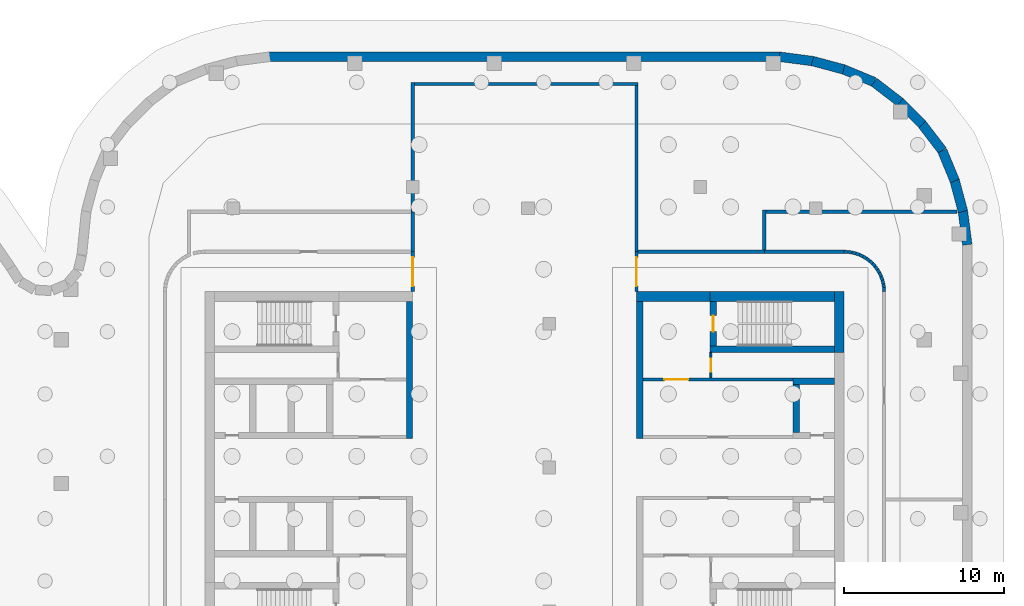
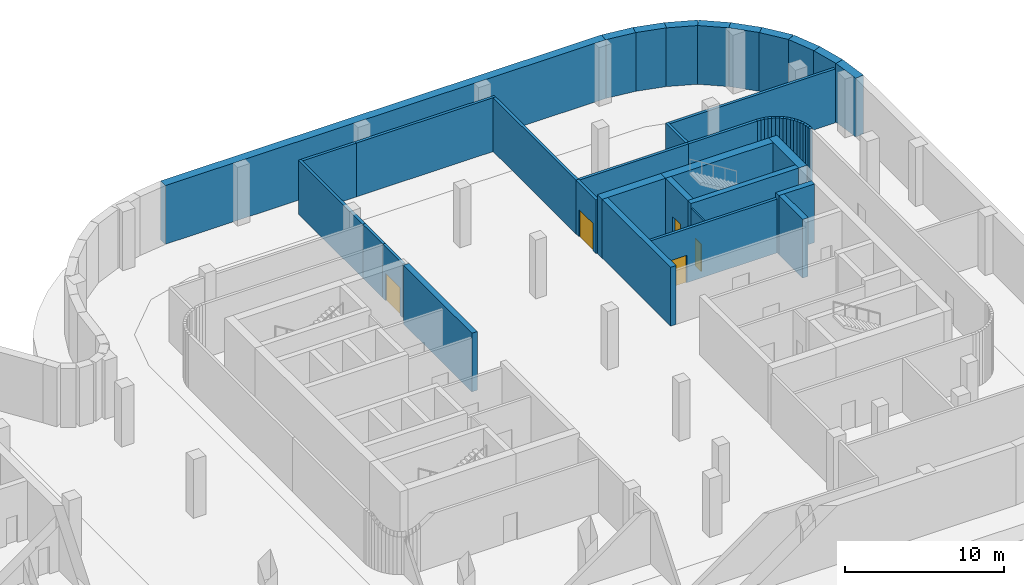
# One storey, part 14 of 18: 48 walls, 5 doors, 5 openings.
"""IFC4 building model written with IfcOpenShell, lengths in metres."""

from ifc_helpers import new_model, si_unit, direction, frame, frame_2d, origin, place, context, subcontext, project, spatial, rectangle, extrude, material, layer, layer_set, type_object, element, fill, save


model = new_model("IFC4")

# Units and contexts
model_context = context("Model", 3, precision=1e-05, world=origin(), true_north=direction((0.0, 1.0)))
body_context = subcontext(model_context, "Body", "Model", "MODEL_VIEW")
ifc_project = project(units=[si_unit("LENGTHUNIT", "METRE"), si_unit("AREAUNIT", "SQUARE_METRE"), si_unit("VOLUMEUNIT", "CUBIC_METRE"), si_unit("PLANEANGLEUNIT", "RADIAN"), si_unit("MASSUNIT", "GRAM", prefix="KILO")], contexts=[model_context])

# Site, building, storey
site_placement = place(None, origin())
site = spatial("IfcSite", under=ifc_project, at=site_placement, CompositionType="ELEMENT")
building_placement = place(site_placement, origin())
building = spatial("IfcBuilding", under=site, at=building_placement, Name="Skarvind Civic Tower", CompositionType="ELEMENT")
storey_placement = place(building_placement, frame((0.0, 0.0, -9.0)))
storey = spatial("IfcBuildingStorey", under=building, at=storey_placement, Name="B2", CompositionType="ELEMENT", Elevation=-9.0)

# Walls
ifc_material_1 = material(Name="Concrete C40", Category="concrete")
ifc_layer_1 = layer(ifc_material_1, 0.60009765625)
ifc_layer_set_1 = layer_set([ifc_layer_1], Name="Basement retaining wall 600 C40")
wall_type_1 = type_object("IfcWallType", Name="Basement retaining wall 600 C40", PredefinedType="SHEAR", material=ifc_layer_set_1)
wall_1_placement = place(storey_placement, frame((131.021728515625, 153.699951171875, 0.0), z_axis=(0.0, 0.0, 1.0), x_axis=(1.0, 0.0, 0.0)))
element("IfcWall", 1, at=wall_1_placement, inside=storey, type_object=wall_type_1, Name="Basement retaining wall B2 43", PredefinedType="SHEAR", context=body_context, shape_type="SweptSolid", body=[
    extrude(rectangle(XDim=31.95654296875, YDim=0.60009765625, at=frame_2d((15.978271484375, 0.0))), origin(), (0.0, 0.0, 1.0), 4.5),
])
wall_2_placement = place(storey_placement, frame((162.93896484375, 153.70263671875, 0.0), z_axis=(0.0, 0.0, 1.0), x_axis=(0.991440646942, -0.130558200013, 0.0)))
element("IfcWall", 2, at=wall_2_placement, inside=storey, type_object=wall_type_1, Name="Basement retaining wall B2 44", PredefinedType="SHEAR", context=body_context, shape_type="SweptSolid", body=[
    extrude(rectangle(XDim=2.1318359375, YDim=0.60009765625, at=frame_2d((1.06591796875, 0.0))), origin(), (0.0, 0.0, 1.0), 4.5),
])
wall_3_placement = place(storey_placement, frame((165.013916015625, 153.431884765625, 0.0), z_axis=(0.0, 0.0, 1.0), x_axis=(0.965929732323, -0.258804467146, 0.0)))
element("IfcWall", 3, at=wall_3_placement, inside=storey, type_object=wall_type_1, Name="Basement retaining wall B2 45", PredefinedType="SHEAR", context=body_context, shape_type="SweptSolid", body=[
    extrude(rectangle(XDim=2.0224609375, YDim=0.60009765625, at=frame_2d((1.01123046875, 0.0))), origin(), (0.0, 0.0, 1.0), 4.5),
])
wall_4_placement = place(storey_placement, frame((166.9306640625, 152.921142578125, 0.0), z_axis=(0.0, 0.0, 1.0), x_axis=(0.924006983526, -0.382375593358, 0.0)))
element("IfcWall", 4, at=wall_4_placement, inside=storey, type_object=wall_type_1, Name="Basement retaining wall B2 46", PredefinedType="SHEAR", context=body_context, shape_type="SweptSolid", body=[
    extrude(rectangle(XDim=2.114013671875, YDim=0.60009765625, at=frame_2d((1.05712890625, 0.0))), origin(), (0.0, 0.0, 1.0), 4.5),
])
wall_5_placement = place(storey_placement, frame((168.87158203125, 152.109375, 0.0), z_axis=(0.0, 0.0, 1.0), x_axis=(0.793125485267, -0.609058260448, 0.0)))
element("IfcWall", 5, at=wall_5_placement, inside=storey, type_object=wall_type_1, Name="Basement retaining wall B2 47", PredefinedType="SHEAR", context=body_context, shape_type="SweptSolid", body=[
    extrude(rectangle(XDim=2.0439453125, YDim=0.60009765625, at=frame_2d((1.02197265625, 0.0))), origin(), (0.0, 0.0, 1.0), 4.5),
])
wall_6_placement = place(storey_placement, frame((170.463134765625, 150.890380859375, 0.0), z_axis=(0.0, 0.0, 1.0), x_axis=(0.707106781187, -0.707106781187, 0.0)))
element("IfcWall", 6, at=wall_6_placement, inside=storey, type_object=wall_type_1, Name="Basement retaining wall B2 48", PredefinedType="SHEAR", context=body_context, shape_type="SweptSolid", body=[
    extrude(rectangle(XDim=2.018310546875, YDim=0.60009765625, at=frame_2d((1.00927734375, 0.0))), origin(), (0.0, 0.0, 1.0), 4.5),
])
wall_7_placement = place(storey_placement, frame((171.864501953125, 149.49267578125, 0.0), z_axis=(0.0, 0.0, 1.0), x_axis=(0.609052002567, -0.79313029079, 0.0)))
element("IfcWall", 7, at=wall_7_placement, inside=storey, type_object=wall_type_1, Name="Basement retaining wall B2 49", PredefinedType="SHEAR", context=body_context, shape_type="SweptSolid", body=[
    extrude(rectangle(XDim=2.114013671875, YDim=0.60009765625, at=frame_2d((1.05712890625, 0.0))), origin(), (0.0, 0.0, 1.0), 4.5),
])
wall_8_placement = place(storey_placement, frame((173.1396484375, 147.8193359375, 0.0), z_axis=(0.0, 0.0, 1.0), x_axis=(0.382341242798, -0.924021197839, 0.0)))
element("IfcWall", 8, at=wall_8_placement, inside=storey, type_object=wall_type_1, Name="Basement retaining wall B2 50", PredefinedType="SHEAR", context=body_context, shape_type="SweptSolid", body=[
    extrude(rectangle(XDim=2.0439453125, YDim=0.60009765625, at=frame_2d((1.02197265625, 0.0))), origin(), (0.0, 0.0, 1.0), 4.5),
])
wall_9_placement = place(storey_placement, frame((173.908447265625, 145.967529296875, 0.0), z_axis=(0.0, 0.0, 1.0), x_axis=(0.258804467146, -0.965929732323, 0.0)))
element("IfcWall", 9, at=wall_9_placement, inside=storey, type_object=wall_type_1, Name="Basement retaining wall B2 51", PredefinedType="SHEAR", context=body_context, shape_type="SweptSolid", body=[
    extrude(rectangle(XDim=2.0224609375, YDim=0.60009765625, at=frame_2d((1.01123046875, 0.0))), origin(), (0.0, 0.0, 1.0), 4.5),
])
wall_10_placement = place(storey_placement, frame((174.42431640625, 144.052490234375, 0.0), z_axis=(0.0, 0.0, 1.0), x_axis=(0.130558200013, -0.991440646942, 0.0)))
element("IfcWall", 10, at=wall_10_placement, inside=storey, type_object=wall_type_1, Name="Basement retaining wall B2 52", PredefinedType="SHEAR", context=body_context, shape_type="SweptSolid", body=[
    extrude(rectangle(XDim=2.1318359375, YDim=0.60009765625, at=frame_2d((1.06591796875, 0.0))), origin(), (0.0, 0.0, 1.0), 4.5),
])

# Wall, opening, door
ifc_material_2 = material(Name="Fire-rated masonry partition", Category="masonry")
ifc_layer_2 = layer(ifc_material_2, 0.199951171875)
ifc_layer_set_2 = layer_set([ifc_layer_2], Name="Core enclosure wall 200")
wall_type_2 = type_object("IfcWallType", Name="Core enclosure wall 200", PredefinedType="PARTITIONING", material=ifc_layer_set_2)
wall_11_placement = place(storey_placement, frame((154.39990234375, 133.5, 0.0), z_axis=(0.0, 0.0, 1.0), x_axis=(1.0, 0.0, 0.0)))
wall_11 = element("IfcWall", 11, at=wall_11_placement, inside=storey, type_object=wall_type_2, Name="Core wall CB", PredefinedType="PARTITIONING", context=body_context, shape_type="SweptSolid", body=[
    extrude(rectangle(XDim=9.400146484375, YDim=0.199951171875, at=frame_2d((4.7001953125, 0.0))), origin(), (0.0, 0.0, 1.0), 4.125),
])
opening_1_placement = place(wall_11_placement, frame((1.35009765625, 0.0, 0.0)))
opening_1 = element("IfcOpeningElement", 12, at=opening_1_placement, cuts=wall_11, Name="Opening D-B2-CB-08", PredefinedType="OPENING", context=body_context, shape_type="SweptSolid", body=[
    extrude(rectangle(XDim=1.5, YDim=2.10009765625, at=frame_2d((0.75, 1.050048828125))), frame((0.0, 0.10986328125, 0.0), z_axis=(0.0, -1.0, 0.0), x_axis=(1.0, 0.0, 0.0)), (0.0, 0.0, 1.0), 0.219970703125),
])
ifc_material_3 = material(Name="Fire-rated steel door", Category="steel")
door_type_1 = type_object("IfcDoorType", Name="Fire door 1500", OperationType="NOTDEFINED", PredefinedType="DOOR", material=ifc_material_3)
door_1_placement = place(opening_1_placement, origin())
door_1 = element("IfcDoor", 13, at=door_1_placement, inside=storey, type_object=door_type_1, Name="Fire door", OperationType="DOUBLE_DOOR_SINGLE_SWING", OverallHeight=2.10009765625, OverallWidth=1.5, PredefinedType="DOOR", context=body_context, shape_type="SweptSolid", body=[
    extrude(rectangle(XDim=1.5, YDim=2.10009765625, at=frame_2d((0.75, 1.050048828125))), frame((0.0, 0.02490234375, 0.0), z_axis=(0.0, -1.0, 0.0), x_axis=(1.0, 0.0, 0.0)), (0.0, 0.0, 1.0), 0.050048828125),
])
fill(opening_1, door_1)

# Walls
ifc_material_4 = material(Name="Concrete C80", Category="concrete")
ifc_layer_3 = layer(ifc_material_4, 0.39990234375)
ifc_layer_set_3 = layer_set([ifc_layer_3], Name="Core wall 400 C80")
wall_type_3 = type_object("IfcWallType", Name="Core wall 400 C80", PredefinedType="SHEAR", material=ifc_layer_set_3)
wall_12_placement = place(storey_placement, frame((139.800048828125, 129.800048828125, 0.0), z_axis=(0.0, 0.0, 1.0), x_axis=(0.0, 1.0, 0.0)))
element("IfcWall", 14, at=wall_12_placement, inside=storey, type_object=wall_type_3, Name="Core wall CA north inner face B2", PredefinedType="SHEAR", context=body_context, shape_type="SweptSolid", body=[
    extrude(rectangle(XDim=8.599853515625, YDim=0.39990234375, at=frame_2d((4.2998046875, 0.0))), origin(), (0.0, 0.0, 1.0), 4.5),
])
wall_13_placement = place(storey_placement, frame((166.39990234375, 135.39990234375, 0.0), z_axis=(0.0, 0.0, 1.0), x_axis=(-1.0, 0.0, 0.0)))
element("IfcWall", 15, at=wall_13_placement, inside=storey, type_object=wall_type_3, Name="Core wall CB south stair inner B2", PredefinedType="SHEAR", context=body_context, shape_type="SweptSolid", body=[
    extrude(rectangle(XDim=7.7998046875, YDim=0.39990234375, at=frame_2d((3.89990234375, 0.0))), origin(), (0.0, 0.0, 1.0), 4.5),
])

# Wall, opening, door
wall_14_placement = place(storey_placement, frame((158.800048828125, 138.39990234375, 0.0), z_axis=(0.0, 0.0, 1.0), x_axis=(0.0, -1.0, 0.0)))
wall_14 = element("IfcWall", 16, at=wall_14_placement, inside=storey, type_object=wall_type_3, Name="Core wall CB south stair end B2", PredefinedType="SHEAR", context=body_context, shape_type="SweptSolid", body=[
    extrude(rectangle(XDim=2.7998046875, YDim=0.39990234375, at=frame_2d((1.39990234375, 0.0))), origin(), (0.0, 0.0, 1.0), 4.5),
])
opening_2_placement = place(wall_14_placement, frame((0.89990234375, 0.0, 0.0)))
opening_2 = element("IfcOpeningElement", 17, at=opening_2_placement, cuts=wall_14, Name="Opening D-B2-CB-09", PredefinedType="OPENING", context=body_context, shape_type="SweptSolid", body=[
    extrude(rectangle(XDim=1.0, YDim=2.10009765625, at=frame_2d((0.5, 1.050048828125))), frame((0.0, 0.2099609375, 0.0), z_axis=(0.0, -1.0, 0.0), x_axis=(1.0, 0.0, 0.0)), (0.0, 0.0, 1.0), 0.419921875),
])
door_type_2 = type_object("IfcDoorType", Name="Fire door 1000", OperationType="NOTDEFINED", PredefinedType="DOOR", material=ifc_material_3)
door_2_placement = place(opening_2_placement, origin())
door_2 = element("IfcDoor", 18, at=door_2_placement, inside=storey, type_object=door_type_2, Name="Fire door", OperationType="SINGLE_SWING_RIGHT", OverallHeight=2.10009765625, OverallWidth=1.0, PredefinedType="DOOR", context=body_context, shape_type="SweptSolid", body=[
    extrude(rectangle(XDim=1.0, YDim=2.10009765625, at=frame_2d((0.5, 1.050048828125))), frame((0.0, 0.02490234375, 0.0), z_axis=(0.0, -1.0, 0.0), x_axis=(1.0, 0.0, 0.0)), (0.0, 0.0, 1.0), 0.050048828125),
])
fill(opening_2, door_2)

# Walls
wall_15_placement = place(storey_placement, frame((166.39990234375, 133.39990234375, 0.0), z_axis=(0.0, 0.0, 1.0), x_axis=(-1.0, 0.0, 0.0)))
element("IfcWall", 19, at=wall_15_placement, inside=storey, type_object=wall_type_3, Name="Core wall CB south lift row back B2", PredefinedType="SHEAR", context=body_context, shape_type="SweptSolid", body=[
    extrude(rectangle(XDim=2.599853515625, YDim=0.39990234375, at=frame_2d((1.2998046875, 0.0))), origin(), (0.0, 0.0, 1.0), 4.5),
])
wall_16_placement = place(storey_placement, frame((164.0, 133.199951171875, 0.0), z_axis=(0.0, 0.0, 1.0), x_axis=(0.0, -1.0, 0.0)))
element("IfcWall", 20, at=wall_16_placement, inside=storey, type_object=wall_type_3, Name="Core wall CB south lift row division 1 B2", PredefinedType="SHEAR", context=body_context, shape_type="SweptSolid", body=[
    extrude(rectangle(XDim=3.0, YDim=0.39990234375, at=frame_2d((1.5, 0.0))), origin(), (0.0, 0.0, 1.0), 4.5),
])
wall_17_placement = place(storey_placement, frame((154.199951171875, 138.39990234375, 0.0), z_axis=(0.0, 0.0, 1.0), x_axis=(0.0, -1.0, 0.0)))
element("IfcWall", 21, at=wall_17_placement, inside=storey, type_object=wall_type_3, Name="Core wall CB south inner face B2", PredefinedType="SHEAR", context=body_context, shape_type="SweptSolid", body=[
    extrude(rectangle(XDim=8.599853515625, YDim=0.39990234375, at=frame_2d((4.2998046875, 0.0))), origin(), (0.0, 0.0, 1.0), 4.5),
])
ifc_layer_4 = layer(ifc_material_4, 0.60009765625)
ifc_layer_set_4 = layer_set([ifc_layer_4], Name="Core wall 600 C80")
wall_type_4 = type_object("IfcWallType", Name="Core wall 600 C80", PredefinedType="SHEAR", material=ifc_layer_set_4)
wall_18_placement = place(storey_placement, frame((166.699951171875, 139.0, 0.0), z_axis=(0.0, 0.0, 1.0), x_axis=(0.0, -1.0, 0.0)))
element("IfcWall", 22, at=wall_18_placement, inside=storey, type_object=wall_type_4, Name="Core wall CB tip at the south stair B2", PredefinedType="SHEAR", context=body_context, shape_type="SweptSolid", body=[
    extrude(rectangle(XDim=3.800048828125, YDim=0.60009765625, at=frame_2d((1.89990234375, 0.0))), origin(), (0.0, 0.0, 1.0), 4.5),
])
wall_19_placement = place(storey_placement, frame((166.39990234375, 138.699951171875, 0.0), z_axis=(0.0, 0.0, 1.0), x_axis=(-1.0, 0.0, 0.0)))
element("IfcWall", 23, at=wall_19_placement, inside=storey, type_object=wall_type_4, Name="Core wall CB south side at the stair B2", PredefinedType="SHEAR", context=body_context, shape_type="SweptSolid", body=[
    extrude(rectangle(XDim=7.7998046875, YDim=0.60009765625, at=frame_2d((3.89990234375, 0.0))), origin(), (0.0, 0.0, 1.0), 4.5),
])
wall_20_placement = place(storey_placement, frame((158.60009765625, 138.699951171875, 0.0), z_axis=(0.0, 0.0, 1.0), x_axis=(-1.0, 0.0, 0.0)))
element("IfcWall", 24, at=wall_20_placement, inside=storey, type_object=wall_type_4, Name="Core wall CB south side B2", PredefinedType="SHEAR", context=body_context, shape_type="SweptSolid", body=[
    extrude(rectangle(XDim=4.60009765625, YDim=0.60009765625, at=frame_2d((2.300048828125, 0.0))), origin(), (0.0, 0.0, 1.0), 4.5),
])
ifc_material_5 = material(Name="Fire-rated blockwork wall, plastered", Category="masonry")
ifc_layer_5 = layer(ifc_material_5, 0.199951171875)
ifc_layer_set_5 = layer_set([ifc_layer_5], Name="FIRE WALL 200 EI 120")
wall_type_5 = type_object("IfcWallType", Name="FIRE WALL 200 EI 120", PredefinedType="PARTITIONING", material=ifc_layer_set_5)
wall_21_placement = place(storey_placement, frame((140.0, 141.5, 0.0), z_axis=(0.0, 0.0, 1.0), x_axis=(0.0, 1.0, 0.0)))
element("IfcWall", 25, at=wall_21_placement, inside=storey, type_object=wall_type_5, Name="Basement partition B2 082", PredefinedType="PARTITIONING", context=body_context, shape_type="SweptSolid", body=[
    extrude(rectangle(XDim=2.5, YDim=0.199951171875, at=frame_2d((1.25, 0.0))), origin(), (0.0, 0.0, 1.0), 4.125),
])
wall_22_placement = place(storey_placement, frame((144.0, 152.0, 0.0), z_axis=(0.0, 0.0, 1.0), x_axis=(1.0, 0.0, 0.0)))
element("IfcWall", 26, at=wall_22_placement, inside=storey, type_object=wall_type_5, Name="Basement partition B2 085", PredefinedType="PARTITIONING", context=body_context, shape_type="SweptSolid", body=[
    extrude(rectangle(XDim=10.10009765625, YDim=0.199951171875, at=frame_2d((5.050048828125, 0.0))), origin(), (0.0, 0.0, 1.0), 4.125),
])
wall_23_placement = place(storey_placement, frame((154.0, 141.5, 0.0), z_axis=(0.0, 0.0, 1.0), x_axis=(0.0, 1.0, 0.0)))
element("IfcWall", 27, at=wall_23_placement, inside=storey, type_object=wall_type_5, Name="Basement partition B2 090", PredefinedType="PARTITIONING", context=body_context, shape_type="SweptSolid", body=[
    extrude(rectangle(XDim=10.39990234375, YDim=0.199951171875, at=frame_2d((5.199951171875, 0.0))), origin(), (0.0, 0.0, 1.0), 4.125),
])
wall_24_placement = place(storey_placement, frame((154.10009765625, 141.5, 0.0), z_axis=(0.0, 0.0, 1.0), x_axis=(1.0, 0.0, 0.0)))
element("IfcWall", 28, at=wall_24_placement, inside=storey, type_object=wall_type_5, Name="Basement partition B2 091", PredefinedType="PARTITIONING", context=body_context, shape_type="SweptSolid", body=[
    extrude(rectangle(XDim=7.89990234375, YDim=0.199951171875, at=frame_2d((3.949951171875, 0.0))), origin(), (0.0, 0.0, 1.0), 4.125),
])
wall_25_placement = place(storey_placement, frame((162.0, 141.60009765625, 0.0), z_axis=(0.0, 0.0, 1.0), x_axis=(0.0, 1.0, 0.0)))
element("IfcWall", 29, at=wall_25_placement, inside=storey, type_object=wall_type_5, Name="Basement partition B2 093", PredefinedType="PARTITIONING", context=body_context, shape_type="SweptSolid", body=[
    extrude(rectangle(XDim=2.5, YDim=0.199951171875, at=frame_2d((1.25, 0.0))), origin(), (0.0, 0.0, 1.0), 4.125),
])
wall_26_placement = place(storey_placement, frame((162.10009765625, 144.0, 0.0), z_axis=(0.0, 0.0, 1.0), x_axis=(1.0, 0.0, 0.0)))
element("IfcWall", 30, at=wall_26_placement, inside=storey, type_object=wall_type_5, Name="Basement partition B2 095", PredefinedType="PARTITIONING", context=body_context, shape_type="SweptSolid", body=[
    extrude(rectangle(XDim=11.973876953125, YDim=0.199951171875, at=frame_2d((5.98681640625, 0.0))), origin(), (0.0, 0.0, 1.0), 4.125),
])

# Wall, opening, door
ifc_layer_6 = layer(ifc_material_5, 0.199951171875)
ifc_layer_set_6 = layer_set([ifc_layer_6], Name="FIRE WALL 200 EI 60")
wall_type_6 = type_object("IfcWallType", Name="FIRE WALL 200 EI 60", PredefinedType="PARTITIONING", material=ifc_layer_set_6)
wall_27_placement = place(storey_placement, frame((140.0, 139.0, 0.0), z_axis=(0.0, 0.0, 1.0), x_axis=(0.0, 1.0, 0.0)))
wall_27 = element("IfcWall", 31, at=wall_27_placement, inside=storey, type_object=wall_type_6, Name="Basement partition B2 081", PredefinedType="PARTITIONING", context=body_context, shape_type="SweptSolid", body=[
    extrude(rectangle(XDim=2.5, YDim=0.199951171875, at=frame_2d((1.25, 0.0))), origin(), (0.0, 0.0, 1.0), 4.125),
])
opening_3_placement = place(wall_27_placement, frame((0.35009765625, 0.0, 0.0)))
opening_3 = element("IfcOpeningElement", 32, at=opening_3_placement, cuts=wall_27, Name="Opening B2-D215", PredefinedType="OPENING", context=body_context, shape_type="SweptSolid", body=[
    extrude(rectangle(XDim=1.800048828125, YDim=2.10009765625, at=frame_2d((0.89990234375, 1.050048828125))), frame((0.0, 0.10986328125, 0.0), z_axis=(0.0, -1.0, 0.0), x_axis=(1.0, 0.0, 0.0)), (0.0, 0.0, 1.0), 0.219970703125),
])
ifc_material_6 = material(Name="Painted steel fire door leaf", Category="steel")
door_type_3 = type_object("IfcDoorType", Name="FIRE DOOR 1800X2100 DOUBLE STEEL", OperationType="NOTDEFINED", PredefinedType="DOOR", material=ifc_material_6)
door_3_placement = place(opening_3_placement, origin())
door_3 = element("IfcDoor", 33, at=door_3_placement, inside=storey, type_object=door_type_3, Name="FIRE DOOR", OperationType="DOUBLE_DOOR_SINGLE_SWING", OverallHeight=2.10009765625, OverallWidth=1.800048828125, PredefinedType="DOOR", context=body_context, shape_type="SweptSolid", body=[
    extrude(rectangle(XDim=1.800048828125, YDim=2.10009765625, at=frame_2d((0.89990234375, 1.050048828125))), frame((0.0, 0.02490234375, 0.0), z_axis=(0.0, -1.0, 0.0), x_axis=(1.0, 0.0, 0.0)), (0.0, 0.0, 1.0), 0.050048828125),
])
fill(opening_3, door_3)

# Walls
wall_28_placement = place(storey_placement, frame((140.0, 144.0, 0.0), z_axis=(0.0, 0.0, 1.0), x_axis=(0.0, 1.0, 0.0)))
element("IfcWall", 34, at=wall_28_placement, inside=storey, type_object=wall_type_6, Name="Basement partition B2 083", PredefinedType="PARTITIONING", context=body_context, shape_type="SweptSolid", body=[
    extrude(rectangle(XDim=8.10009765625, YDim=0.199951171875, at=frame_2d((4.050048828125, 0.0))), origin(), (0.0, 0.0, 1.0), 4.125),
])
wall_29_placement = place(storey_placement, frame((140.10009765625, 152.0, 0.0), z_axis=(0.0, 0.0, 1.0), x_axis=(1.0, 0.0, 0.0)))
element("IfcWall", 35, at=wall_29_placement, inside=storey, type_object=wall_type_6, Name="Basement partition B2 084", PredefinedType="PARTITIONING", context=body_context, shape_type="SweptSolid", body=[
    extrude(rectangle(XDim=3.89990234375, YDim=0.199951171875, at=frame_2d((1.949951171875, 0.0))), origin(), (0.0, 0.0, 1.0), 4.125),
])

# Wall, opening, door
wall_30_placement = place(storey_placement, frame((154.0, 141.5, 0.0), z_axis=(0.0, 0.0, 1.0), x_axis=(0.0, -1.0, 0.0)))
wall_30 = element("IfcWall", 36, at=wall_30_placement, inside=storey, type_object=wall_type_6, Name="Basement partition B2 089", PredefinedType="PARTITIONING", context=body_context, shape_type="SweptSolid", body=[
    extrude(rectangle(XDim=2.5, YDim=0.199951171875, at=frame_2d((1.25, 0.0))), origin(), (0.0, 0.0, 1.0), 4.125),
])
opening_4_placement = place(wall_30_placement, frame((0.35009765625, 0.0, 0.0)))
opening_4 = element("IfcOpeningElement", 37, at=opening_4_placement, cuts=wall_30, Name="Opening B2-D216", PredefinedType="OPENING", context=body_context, shape_type="SweptSolid", body=[
    extrude(rectangle(XDim=1.800048828125, YDim=2.10009765625, at=frame_2d((0.89990234375, 1.050048828125))), frame((0.0, 0.10986328125, 0.0), z_axis=(0.0, -1.0, 0.0), x_axis=(1.0, 0.0, 0.0)), (0.0, 0.0, 1.0), 0.219970703125),
])
door_4_placement = place(opening_4_placement, origin())
door_4 = element("IfcDoor", 38, at=door_4_placement, inside=storey, type_object=door_type_3, Name="FIRE DOOR", OperationType="DOUBLE_DOOR_SINGLE_SWING", OverallHeight=2.10009765625, OverallWidth=1.800048828125, PredefinedType="DOOR", context=body_context, shape_type="SweptSolid", body=[
    extrude(rectangle(XDim=1.800048828125, YDim=2.10009765625, at=frame_2d((0.89990234375, 1.050048828125))), frame((0.0, 0.02490234375, 0.0), z_axis=(0.0, -1.0, 0.0), x_axis=(1.0, 0.0, 0.0)), (0.0, 0.0, 1.0), 0.050048828125),
])
fill(opening_4, door_4)

# Walls
wall_31_placement = place(storey_placement, frame((162.0, 141.5, 0.0), z_axis=(0.0, 0.0, 1.0), x_axis=(1.0, 0.0, 0.0)))
element("IfcWall", 39, at=wall_31_placement, inside=storey, type_object=wall_type_6, Name="Basement partition B2 094", PredefinedType="PARTITIONING", context=body_context, shape_type="SweptSolid", body=[
    extrude(rectangle(XDim=5.001953125, YDim=0.199951171875, at=frame_2d((2.5009765625, 0.0))), origin(), (0.0, 0.0, 1.0), 4.125),
])
wall_32_placement = place(storey_placement, frame((166.998046875, 141.5, 0.0), z_axis=(0.0, 0.0, 1.0), x_axis=(0.998874697667, -0.047427190102, 0.0)))
element("IfcWall", 40, at=wall_32_placement, inside=storey, type_object=wall_type_6, Name="Basement partition B2 097", PredefinedType="PARTITIONING", context=body_context, shape_type="SweptSolid", body=[
    extrude(rectangle(XDim=0.252197265625, YDim=0.199951171875, at=frame_2d((0.1259765625, 0.0))), origin(), (0.0, 0.0, 1.0), 4.125),
])
wall_33_placement = place(storey_placement, frame((167.239990234375, 141.489013671875, 0.0), z_axis=(0.0, 0.0, 1.0), x_axis=(0.988852180426, -0.148900521377, 0.0)))
element("IfcWall", 41, at=wall_33_placement, inside=storey, type_object=wall_type_6, Name="Basement partition B2 099", PredefinedType="PARTITIONING", context=body_context, shape_type="SweptSolid", body=[
    extrude(rectangle(XDim=0.255859375, YDim=0.199951171875, at=frame_2d((0.1279296875, 0.0))), origin(), (0.0, 0.0, 1.0), 4.125),
])
wall_34_placement = place(storey_placement, frame((167.48291015625, 141.452880859375, 0.0), z_axis=(0.0, 0.0, 1.0), x_axis=(0.970366809683, -0.241636616978, 0.0)))
element("IfcWall", 42, at=wall_34_placement, inside=storey, type_object=wall_type_6, Name="Basement partition B2 101", PredefinedType="PARTITIONING", context=body_context, shape_type="SweptSolid", body=[
    extrude(rectangle(XDim=0.255615234375, YDim=0.199951171875, at=frame_2d((0.1279296875, 0.0))), origin(), (0.0, 0.0, 1.0), 4.125),
])
wall_35_placement = place(storey_placement, frame((167.721923828125, 141.39404296875, 0.0), z_axis=(0.0, 0.0, 1.0), x_axis=(0.941459892631, -0.337125007331, 0.0)))
element("IfcWall", 43, at=wall_35_placement, inside=storey, type_object=wall_type_6, Name="Basement partition B2 103", PredefinedType="PARTITIONING", context=body_context, shape_type="SweptSolid", body=[
    extrude(rectangle(XDim=0.2548828125, YDim=0.199951171875, at=frame_2d((0.12744140625, 0.0))), origin(), (0.0, 0.0, 1.0), 4.125),
])
wall_36_placement = place(storey_placement, frame((167.951904296875, 141.31201171875, 0.0), z_axis=(0.0, 0.0, 1.0), x_axis=(0.903444698448, -0.4287046499, 0.0)))
element("IfcWall", 44, at=wall_36_placement, inside=storey, type_object=wall_type_6, Name="Basement partition B2 105", PredefinedType="PARTITIONING", context=body_context, shape_type="SweptSolid", body=[
    extrude(rectangle(XDim=0.254638671875, YDim=0.199951171875, at=frame_2d((0.12744140625, 0.0))), origin(), (0.0, 0.0, 1.0), 4.125),
])
wall_37_placement = place(storey_placement, frame((168.174072265625, 141.20703125, 0.0), z_axis=(0.0, 0.0, 1.0), x_axis=(0.857998903579, -0.513651517527, 0.0)))
element("IfcWall", 45, at=wall_37_placement, inside=storey, type_object=wall_type_6, Name="Basement partition B2 107", PredefinedType="PARTITIONING", context=body_context, shape_type="SweptSolid", body=[
    extrude(rectangle(XDim=0.255126953125, YDim=0.199951171875, at=frame_2d((0.12744140625, 0.0))), origin(), (0.0, 0.0, 1.0), 4.125),
])
wall_38_placement = place(storey_placement, frame((168.385009765625, 141.08203125, 0.0), z_axis=(0.0, 0.0, 1.0), x_axis=(0.803201336243, -0.595707657713, 0.0)))
element("IfcWall", 46, at=wall_38_placement, inside=storey, type_object=wall_type_6, Name="Basement partition B2 109", PredefinedType="PARTITIONING", context=body_context, shape_type="SweptSolid", body=[
    extrude(rectangle(XDim=0.25537109375, YDim=0.199951171875, at=frame_2d((0.127685546875, 0.0))), origin(), (0.0, 0.0, 1.0), 4.125),
])
for number, where, z_axis, x_axis, name in (
    (47, (168.58203125, 140.93603515625, 0.0), (0.0, 0.0, 1.0), (0.742914175687, -0.66938668015, 0.0), "Basement partition B2 111"),
    (48, (168.764892578125, 140.77197265625, 0.0), (0.0, 0.0, 1.0), (0.66938668015, -0.742914175687, 0.0), "Basement partition B2 113"),
):
    element("IfcWall", number, at=place(storey_placement, frame(where, z_axis=z_axis, x_axis=x_axis)), inside=storey, type_object=wall_type_6, Name=name, PredefinedType="PARTITIONING", context=body_context, shape_type="SweptSolid", body=[
        extrude(rectangle(XDim=0.255615234375, YDim=0.199951171875, at=frame_2d((0.1279296875, 0.0))), origin(), (0.0, 0.0, 1.0), 4.125),
    ])
wall_39_placement = place(storey_placement, frame((168.929931640625, 140.590087890625, 0.0), z_axis=(0.0, 0.0, 1.0), x_axis=(0.595707657713, -0.803201336243, 0.0)))
element("IfcWall", 49, at=wall_39_placement, inside=storey, type_object=wall_type_6, Name="Basement partition B2 115", PredefinedType="PARTITIONING", context=body_context, shape_type="SweptSolid", body=[
    extrude(rectangle(XDim=0.25537109375, YDim=0.199951171875, at=frame_2d((0.127685546875, 0.0))), origin(), (0.0, 0.0, 1.0), 4.125),
])
wall_40_placement = place(storey_placement, frame((169.075927734375, 140.39306640625, 0.0), z_axis=(0.0, 0.0, 1.0), x_axis=(0.513651517527, -0.857998903579, 0.0)))
element("IfcWall", 50, at=wall_40_placement, inside=storey, type_object=wall_type_6, Name="Basement partition B2 117", PredefinedType="PARTITIONING", context=body_context, shape_type="SweptSolid", body=[
    extrude(rectangle(XDim=0.255126953125, YDim=0.199951171875, at=frame_2d((0.12744140625, 0.0))), origin(), (0.0, 0.0, 1.0), 4.125),
])
wall_41_placement = place(storey_placement, frame((169.202880859375, 140.181884765625, 0.0), z_axis=(0.0, 0.0, 1.0), x_axis=(0.4287046499, -0.903444698448, 0.0)))
element("IfcWall", 51, at=wall_41_placement, inside=storey, type_object=wall_type_6, Name="Basement partition B2 119", PredefinedType="PARTITIONING", context=body_context, shape_type="SweptSolid", body=[
    extrude(rectangle(XDim=0.254638671875, YDim=0.199951171875, at=frame_2d((0.12744140625, 0.0))), origin(), (0.0, 0.0, 1.0), 4.125),
])
wall_42_placement = place(storey_placement, frame((169.30810546875, 139.9619140625, 0.0), z_axis=(0.0, 0.0, 1.0), x_axis=(0.337125007331, -0.941459892631, 0.0)))
element("IfcWall", 52, at=wall_42_placement, inside=storey, type_object=wall_type_6, Name="Basement partition B2 121", PredefinedType="PARTITIONING", context=body_context, shape_type="SweptSolid", body=[
    extrude(rectangle(XDim=0.2548828125, YDim=0.199951171875, at=frame_2d((0.12744140625, 0.0))), origin(), (0.0, 0.0, 1.0), 4.125),
])
wall_43_placement = place(storey_placement, frame((169.39111328125, 139.73095703125, 0.0), z_axis=(0.0, 0.0, 1.0), x_axis=(0.241636616978, -0.970366809683, 0.0)))
element("IfcWall", 53, at=wall_43_placement, inside=storey, type_object=wall_type_6, Name="Basement partition B2 123", PredefinedType="PARTITIONING", context=body_context, shape_type="SweptSolid", body=[
    extrude(rectangle(XDim=0.255615234375, YDim=0.199951171875, at=frame_2d((0.1279296875, 0.0))), origin(), (0.0, 0.0, 1.0), 4.125),
])
wall_44_placement = place(storey_placement, frame((169.450927734375, 139.492919921875, 0.0), z_axis=(0.0, 0.0, 1.0), x_axis=(0.148900521377, -0.988852180426, 0.0)))
element("IfcWall", 54, at=wall_44_placement, inside=storey, type_object=wall_type_6, Name="Basement partition B2 125", PredefinedType="PARTITIONING", context=body_context, shape_type="SweptSolid", body=[
    extrude(rectangle(XDim=0.255859375, YDim=0.199951171875, at=frame_2d((0.1279296875, 0.0))), origin(), (0.0, 0.0, 1.0), 4.125),
])
wall_45_placement = place(storey_placement, frame((169.488037109375, 139.25, 0.0), z_axis=(0.0, 0.0, 1.0), x_axis=(0.047427190102, -0.998874697667, 0.0)))
element("IfcWall", 55, at=wall_45_placement, inside=storey, type_object=wall_type_6, Name="Basement partition B2 127", PredefinedType="PARTITIONING", context=body_context, shape_type="SweptSolid", body=[
    extrude(rectangle(XDim=0.252197265625, YDim=0.199951171875, at=frame_2d((0.1259765625, 0.0))), origin(), (0.0, 0.0, 1.0), 4.125),
])

# Wall, opening, door
ifc_layer_7 = layer(ifc_material_2, 0.125)
ifc_layer_set_7 = layer_set([ifc_layer_7], Name="Riser wall 125")
wall_type_7 = type_object("IfcWallType", Name="Riser wall 125", PredefinedType="PARTITIONING", material=ifc_layer_set_7)
wall_46_placement = place(storey_placement, frame((158.66259765625, 133.60009765625, 0.0), z_axis=(0.0, 0.0, 1.0), x_axis=(0.0, 1.0, 0.0)))
wall_46 = element("IfcWall", 56, at=wall_46_placement, inside=storey, type_object=wall_type_7, Name="Core wall CB", PredefinedType="PARTITIONING", context=body_context, shape_type="SweptSolid", body=[
    extrude(rectangle(XDim=1.599853515625, YDim=0.125, at=frame_2d((0.7998046875, 0.0))), origin(), (0.0, 0.0, 1.0), 4.125),
])
opening_5_placement = place(wall_46_placement, frame((0.39990234375, 0.0, 0.0)))
opening_5 = element("IfcOpeningElement", 57, at=opening_5_placement, cuts=wall_46, Name="Opening D-B2-CB-10", PredefinedType="OPENING", context=body_context, shape_type="SweptSolid", body=[
    extrude(rectangle(XDim=0.800048828125, YDim=2.10009765625, at=frame_2d((0.39990234375, 1.050048828125))), frame((0.0, 0.072509765625, 0.0), z_axis=(0.0, -1.0, 0.0), x_axis=(1.0, 0.0, 0.0)), (0.0, 0.0, 1.0), 0.14501953125),
])
door_type_4 = type_object("IfcDoorType", Name="Core riser door 800", OperationType="NOTDEFINED", PredefinedType="DOOR", material=ifc_material_3)
door_5_placement = place(opening_5_placement, origin())
door_5 = element("IfcDoor", 58, at=door_5_placement, inside=storey, type_object=door_type_4, Name="Riser door", OperationType="SINGLE_SWING_LEFT", OverallHeight=2.10009765625, OverallWidth=0.800048828125, PredefinedType="DOOR", context=body_context, shape_type="SweptSolid", body=[
    extrude(rectangle(XDim=0.800048828125, YDim=2.10009765625, at=frame_2d((0.39990234375, 1.050048828125))), frame((0.0, 0.02490234375, 0.0), z_axis=(0.0, -1.0, 0.0), x_axis=(1.0, 0.0, 0.0)), (0.0, 0.0, 1.0), 0.050048828125),
])
fill(opening_5, door_5)

save(model, "model.ifc")
